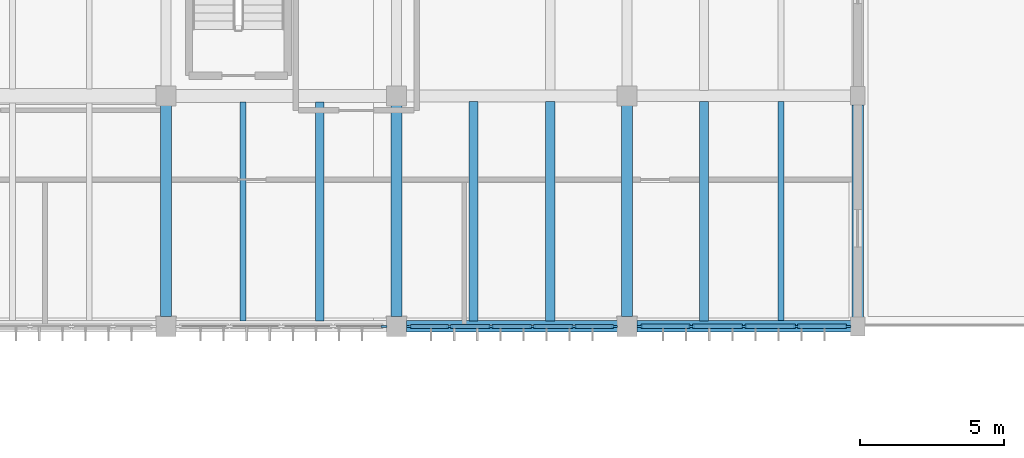
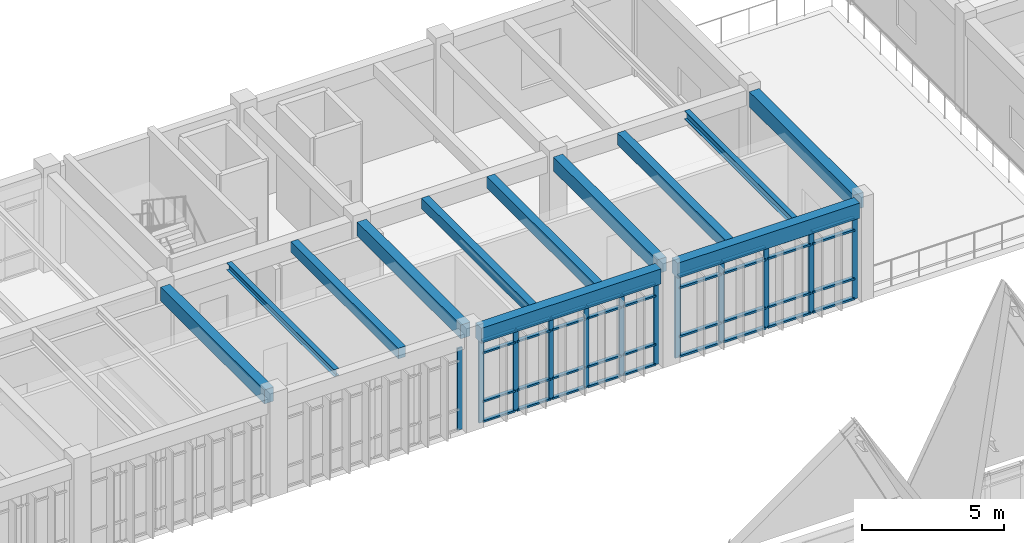
# One storey, part 20 of 72: 48 members, 12 beams, 3 elements without a shape of their own.
"""IFC4 building model written with IfcOpenShell, lengths in metres."""

from ifc_helpers import new_model, si_unit, direction, frame, origin, origin_2d, place, context, subcontext, project, spatial, rectangle, i_section, extrude, material, material_profile, profile_set, type_object, element, aggregate, save


model = new_model("IFC4")

# Units and contexts
model_context = context("Model", 3, precision=1e-05, world=origin(), true_north=direction((0.0, 1.0)))
body_context = subcontext(model_context, "Body", "Model", "MODEL_VIEW")
ifc_project = project(units=[si_unit("LENGTHUNIT", "METRE"), si_unit("AREAUNIT", "SQUARE_METRE"), si_unit("VOLUMEUNIT", "CUBIC_METRE"), si_unit("PLANEANGLEUNIT", "RADIAN"), si_unit("MASSUNIT", "GRAM", prefix="KILO")], contexts=[model_context])

# Site, building, storey
site_placement = place(None, origin())
site = spatial("IfcSite", under=ifc_project, at=site_placement, CompositionType="ELEMENT")
building_placement = place(site_placement, origin())
building = spatial("IfcBuilding", under=site, at=building_placement, Name="Tlaxcora Railside Police Headquarters", CompositionType="ELEMENT")
storey_placement = place(building_placement, frame((0.0, 0.0, 13.5)))
storey = spatial("IfcBuildingStorey", under=building, at=storey_placement, Name="L03", CompositionType="ELEMENT", Elevation=13.5)

# Curtain wall, member
ifc_material_1 = material(Name="Thermally broken low-E insulated glazing", Category="glass")
curtain_wall_type_1 = type_object("IfcCurtainWallType", Name="Unitised Curtain Wall Assembly CW-38", PredefinedType="NOTDEFINED", material=ifc_material_1)
curtain_wall_1_placement = place(storey_placement, origin())
curtain_wall_1 = element("IfcCurtainWall", 1, at=curtain_wall_1_placement, inside=storey, type_object=curtain_wall_type_1, Name="V5 L03 curtain wall 77", PredefinedType="NOTDEFINED")
ifc_material_2 = material(Name="Anodised aluminium framing", Category="aluminium")
ifc_material_profile_1 = material_profile(ifc_material_2, rectangle(XDim=0.074951171875, YDim=0.205078125, at=origin_2d()), Name="AL75X205")
ifc_profile_set_1 = profile_set([ifc_material_profile_1], Name="Anodised aluminium framing")
member_type_1 = type_object("IfcMemberType", Name="Curtain Wall Mullion CW-32", PredefinedType="MULLION", material=ifc_profile_set_1)
member_1_placement = place(storey_placement, frame((77.5625, 76.800048828125, 0.0), z_axis=(0.0, 0.0, 1.0), x_axis=(0.0, 1.0, 0.0)))
member_1 = element("IfcMember", 2, at=member_1_placement, type_object=member_type_1, Name="CW mullion 5", PredefinedType="MULLION", context=body_context, shape_type="SweptSolid", body=[
    extrude(rectangle(XDim=0.074951171875, YDim=0.205078125, at=origin_2d()), origin(), (0.0, 0.0, 1.0), 3.52001953125),
])
aggregate(curtain_wall_1, [member_1])

# Curtain wall, members
curtain_wall_type_2 = type_object("IfcCurtainWallType", Name="Unitised Curtain Wall Assembly CW-15", PredefinedType="NOTDEFINED", material=ifc_material_1)
curtain_wall_2_placement = place(storey_placement, origin())
curtain_wall_2 = element("IfcCurtainWall", 3, at=curtain_wall_2_placement, inside=storey, type_object=curtain_wall_type_2, Name="V5 L03 curtain wall 78", PredefinedType="NOTDEFINED")
ifc_material_profile_2 = material_profile(ifc_material_2, rectangle(XDim=0.074951171875, YDim=0.199951171875, at=origin_2d()), Name="AL75X200")
ifc_profile_set_2 = profile_set([ifc_material_profile_2], Name="Anodised aluminium framing")
member_type_2 = type_object("IfcMemberType", Name="Curtain Wall Mullion CW-58", PredefinedType="MULLION", material=ifc_profile_set_2)
member_2_placement = place(storey_placement, frame((78.4375, 76.800048828125, 0.0), z_axis=(0.0, 0.0, 1.0), x_axis=(0.0, 1.0, 0.0)))
member_2 = element("IfcMember", 4, at=member_2_placement, type_object=member_type_2, Name="CW mullion 1", PredefinedType="MULLION", context=body_context, shape_type="SweptSolid", body=[
    extrude(rectangle(XDim=0.074951171875, YDim=0.199951171875, at=origin_2d()), origin(), (0.0, 0.0, 1.0), 3.52001953125),
])
member_3_placement = place(storey_placement, frame((79.840087890625, 76.800048828125, 0.0), z_axis=(0.0, 0.0, 1.0), x_axis=(0.0, 1.0, 0.0)))
member_3 = element("IfcMember", 5, at=member_3_placement, type_object=member_type_2, Name="CW mullion 2", PredefinedType="MULLION", context=body_context, shape_type="SweptSolid", body=[
    extrude(rectangle(XDim=0.074951171875, YDim=0.199951171875, at=origin_2d()), origin(), (0.0, 0.0, 1.0), 3.52001953125),
])
member_4_placement = place(storey_placement, frame((81.280029296875, 76.800048828125, 0.0), z_axis=(0.0, 0.0, 1.0), x_axis=(0.0, 1.0, 0.0)))
member_4 = element("IfcMember", 6, at=member_4_placement, type_object=member_type_2, Name="CW mullion 3", PredefinedType="MULLION", context=body_context, shape_type="SweptSolid", body=[
    extrude(rectangle(XDim=0.074951171875, YDim=0.199951171875, at=origin_2d()), origin(), (0.0, 0.0, 1.0), 3.52001953125),
])
member_5_placement = place(storey_placement, frame((82.719970703125, 76.800048828125, 0.0), z_axis=(0.0, 0.0, 1.0), x_axis=(0.0, 1.0, 0.0)))
member_5 = element("IfcMember", 7, at=member_5_placement, type_object=member_type_2, Name="CW mullion 4", PredefinedType="MULLION", context=body_context, shape_type="SweptSolid", body=[
    extrude(rectangle(XDim=0.074951171875, YDim=0.199951171875, at=origin_2d()), origin(), (0.0, 0.0, 1.0), 3.52001953125),
])
member_6_placement = place(storey_placement, frame((84.159912109375, 76.800048828125, 0.0), z_axis=(0.0, 0.0, 1.0), x_axis=(0.0, 1.0, 0.0)))
member_6 = element("IfcMember", 8, at=member_6_placement, type_object=member_type_2, Name="CW mullion 5", PredefinedType="MULLION", context=body_context, shape_type="SweptSolid", body=[
    extrude(rectangle(XDim=0.074951171875, YDim=0.199951171875, at=origin_2d()), origin(), (0.0, 0.0, 1.0), 3.52001953125),
])
member_7_placement = place(storey_placement, frame((85.5625, 76.800048828125, 0.0), z_axis=(0.0, 0.0, 1.0), x_axis=(0.0, 1.0, 0.0)))
member_7 = element("IfcMember", 9, at=member_7_placement, type_object=member_type_2, Name="CW mullion 6", PredefinedType="MULLION", context=body_context, shape_type="SweptSolid", body=[
    extrude(rectangle(XDim=0.074951171875, YDim=0.199951171875, at=origin_2d()), origin(), (0.0, 0.0, 1.0), 3.52001953125),
])

curtain_wall_type_3 = type_object("IfcCurtainWallType", Name="Unitised Curtain Wall Assembly CW-83", PredefinedType="NOTDEFINED", material=ifc_material_1)
curtain_wall_3_placement = place(storey_placement, origin())
curtain_wall_3 = element("IfcCurtainWall", 10, at=curtain_wall_3_placement, inside=storey, type_object=curtain_wall_type_3, Name="V5 L03 curtain wall 79", PredefinedType="NOTDEFINED")
ifc_material_profile_3 = material_profile(ifc_material_2, rectangle(XDim=0.080078125, YDim=0.2099609375, at=origin_2d()), Name="AL80X210")
ifc_profile_set_3 = profile_set([ifc_material_profile_3], Name="Anodised aluminium framing")
member_type_3 = type_object("IfcMemberType", Name="Curtain Wall Mullion CW-76", PredefinedType="MULLION", material=ifc_profile_set_3)
member_8_placement = place(storey_placement, frame((86.43994140625, 76.800048828125, 0.0), z_axis=(0.0, 0.0, 1.0), x_axis=(0.0, 1.0, 0.0)))
member_8 = element("IfcMember", 11, at=member_8_placement, type_object=member_type_3, Name="CW mullion 1", PredefinedType="MULLION", context=body_context, shape_type="SweptSolid", body=[
    extrude(rectangle(XDim=0.080078125, YDim=0.2099609375, at=origin_2d()), origin(), (0.0, 0.0, 1.0), 3.52001953125),
])
member_9_placement = place(storey_placement, frame((88.22509765625, 76.800048828125, 0.0), z_axis=(0.0, 0.0, 1.0), x_axis=(0.0, 1.0, 0.0)))
member_9 = element("IfcMember", 12, at=member_9_placement, type_object=member_type_3, Name="CW mullion 2", PredefinedType="MULLION", context=body_context, shape_type="SweptSolid", body=[
    extrude(rectangle(XDim=0.080078125, YDim=0.2099609375, at=origin_2d()), origin(), (0.0, 0.0, 1.0), 3.52001953125),
])
member_10_placement = place(storey_placement, frame((90.050048828125, 76.800048828125, 0.0), z_axis=(0.0, 0.0, 1.0), x_axis=(0.0, 1.0, 0.0)))
member_10 = element("IfcMember", 13, at=member_10_placement, type_object=member_type_3, Name="CW mullion 3", PredefinedType="MULLION", context=body_context, shape_type="SweptSolid", body=[
    extrude(rectangle(XDim=0.080078125, YDim=0.2099609375, at=origin_2d()), origin(), (0.0, 0.0, 1.0), 3.52001953125),
])
member_11_placement = place(storey_placement, frame((91.875, 76.800048828125, 0.0), z_axis=(0.0, 0.0, 1.0), x_axis=(0.0, 1.0, 0.0)))
member_11 = element("IfcMember", 14, at=member_11_placement, type_object=member_type_3, Name="CW mullion 4", PredefinedType="MULLION", context=body_context, shape_type="SweptSolid", body=[
    extrude(rectangle(XDim=0.080078125, YDim=0.2099609375, at=origin_2d()), origin(), (0.0, 0.0, 1.0), 3.52001953125),
])
member_12_placement = place(storey_placement, frame((93.659912109375, 76.800048828125, 0.0), z_axis=(0.0, 0.0, 1.0), x_axis=(0.0, 1.0, 0.0)))
member_12 = element("IfcMember", 15, at=member_12_placement, type_object=member_type_3, Name="CW mullion 5", PredefinedType="MULLION", context=body_context, shape_type="SweptSolid", body=[
    extrude(rectangle(XDim=0.080078125, YDim=0.2099609375, at=origin_2d()), origin(), (0.0, 0.0, 1.0), 3.52001953125),
])

# Member
ifc_material_profile_4 = material_profile(ifc_material_2, rectangle(XDim=0.14990234375, YDim=0.074951171875, at=origin_2d()), Name="AL75X150")
ifc_profile_set_4 = profile_set([ifc_material_profile_4], Name="Anodised aluminium framing")
member_type_4 = type_object("IfcMemberType", Name="Curtain Wall Transom CW-28", PredefinedType="USERDEFINED", material=ifc_profile_set_4)
member_13_placement = place(storey_placement, frame((78.47509765625, 76.800048828125, 0.03759765625), z_axis=(1.0, 0.0, 0.0), x_axis=(0.0, 1.0, 0.0)))
member_13 = element("IfcMember", 16, at=member_13_placement, type_object=member_type_4, Name="CW transom 1.1", ObjectType="TRANSOM", PredefinedType="USERDEFINED", context=body_context, shape_type="SweptSolid", body=[
    extrude(rectangle(XDim=0.14990234375, YDim=0.074951171875, at=origin_2d()), origin(), (0.0, 0.0, 1.0), 1.327392578125),
])

member_14_placement = place(storey_placement, frame((78.47509765625, 76.800048828125, 0.89990234375), z_axis=(1.0, 0.0, 0.0), x_axis=(0.0, 1.0, 0.0)))
member_14 = element("IfcMember", 17, at=member_14_placement, type_object=member_type_4, Name="CW transom 1.2", ObjectType="TRANSOM", PredefinedType="USERDEFINED", context=body_context, shape_type="SweptSolid", body=[
    extrude(rectangle(XDim=0.14990234375, YDim=0.074951171875, at=origin_2d()), origin(), (0.0, 0.0, 1.0), 1.327392578125),
])

member_15_placement = place(storey_placement, frame((78.47509765625, 76.800048828125, 2.989990234375), z_axis=(1.0, 0.0, 0.0), x_axis=(0.0, 1.0, 0.0)))
member_15 = element("IfcMember", 18, at=member_15_placement, type_object=member_type_4, Name="CW transom 1.3", ObjectType="TRANSOM", PredefinedType="USERDEFINED", context=body_context, shape_type="SweptSolid", body=[
    extrude(rectangle(XDim=0.14990234375, YDim=0.074951171875, at=origin_2d()), origin(), (0.0, 0.0, 1.0), 1.327392578125),
])

member_16_placement = place(storey_placement, frame((78.47509765625, 76.800048828125, 3.482421875), z_axis=(1.0, 0.0, 0.0), x_axis=(0.0, 1.0, 0.0)))
member_16 = element("IfcMember", 19, at=member_16_placement, type_object=member_type_4, Name="CW transom 1.4", ObjectType="TRANSOM", PredefinedType="USERDEFINED", context=body_context, shape_type="SweptSolid", body=[
    extrude(rectangle(XDim=0.14990234375, YDim=0.074951171875, at=origin_2d()), origin(), (0.0, 0.0, 1.0), 1.327392578125),
])

member_17_placement = place(storey_placement, frame((79.87744140625, 76.800048828125, 0.03759765625), z_axis=(1.0, 0.0, 0.0), x_axis=(0.0, 1.0, 0.0)))
member_17 = element("IfcMember", 20, at=member_17_placement, type_object=member_type_4, Name="CW transom 2.1", ObjectType="TRANSOM", PredefinedType="USERDEFINED", context=body_context, shape_type="SweptSolid", body=[
    extrude(rectangle(XDim=0.14990234375, YDim=0.074951171875, at=origin_2d()), origin(), (0.0, 0.0, 1.0), 1.364990234375),
])

member_18_placement = place(storey_placement, frame((79.87744140625, 76.800048828125, 0.89990234375), z_axis=(1.0, 0.0, 0.0), x_axis=(0.0, 1.0, 0.0)))
member_18 = element("IfcMember", 21, at=member_18_placement, type_object=member_type_4, Name="CW transom 2.2", ObjectType="TRANSOM", PredefinedType="USERDEFINED", context=body_context, shape_type="SweptSolid", body=[
    extrude(rectangle(XDim=0.14990234375, YDim=0.074951171875, at=origin_2d()), origin(), (0.0, 0.0, 1.0), 1.364990234375),
])

member_19_placement = place(storey_placement, frame((79.87744140625, 76.800048828125, 2.989990234375), z_axis=(1.0, 0.0, 0.0), x_axis=(0.0, 1.0, 0.0)))
member_19 = element("IfcMember", 22, at=member_19_placement, type_object=member_type_4, Name="CW transom 2.3", ObjectType="TRANSOM", PredefinedType="USERDEFINED", context=body_context, shape_type="SweptSolid", body=[
    extrude(rectangle(XDim=0.14990234375, YDim=0.074951171875, at=origin_2d()), origin(), (0.0, 0.0, 1.0), 1.364990234375),
])

member_20_placement = place(storey_placement, frame((79.87744140625, 76.800048828125, 3.482421875), z_axis=(1.0, 0.0, 0.0), x_axis=(0.0, 1.0, 0.0)))
member_20 = element("IfcMember", 23, at=member_20_placement, type_object=member_type_4, Name="CW transom 2.4", ObjectType="TRANSOM", PredefinedType="USERDEFINED", context=body_context, shape_type="SweptSolid", body=[
    extrude(rectangle(XDim=0.14990234375, YDim=0.074951171875, at=origin_2d()), origin(), (0.0, 0.0, 1.0), 1.364990234375),
])

member_21_placement = place(storey_placement, frame((81.3173828125, 76.800048828125, 0.03759765625), z_axis=(1.0, 0.0, 0.0), x_axis=(0.0, 1.0, 0.0)))
member_21 = element("IfcMember", 24, at=member_21_placement, type_object=member_type_4, Name="CW transom 3.1", ObjectType="TRANSOM", PredefinedType="USERDEFINED", context=body_context, shape_type="SweptSolid", body=[
    extrude(rectangle(XDim=0.14990234375, YDim=0.074951171875, at=origin_2d()), origin(), (0.0, 0.0, 1.0), 1.365234375),
])

member_22_placement = place(storey_placement, frame((81.3173828125, 76.800048828125, 0.89990234375), z_axis=(1.0, 0.0, 0.0), x_axis=(0.0, 1.0, 0.0)))
member_22 = element("IfcMember", 25, at=member_22_placement, type_object=member_type_4, Name="CW transom 3.2", ObjectType="TRANSOM", PredefinedType="USERDEFINED", context=body_context, shape_type="SweptSolid", body=[
    extrude(rectangle(XDim=0.14990234375, YDim=0.074951171875, at=origin_2d()), origin(), (0.0, 0.0, 1.0), 1.365234375),
])

member_23_placement = place(storey_placement, frame((81.3173828125, 76.800048828125, 2.989990234375), z_axis=(1.0, 0.0, 0.0), x_axis=(0.0, 1.0, 0.0)))
member_23 = element("IfcMember", 26, at=member_23_placement, type_object=member_type_4, Name="CW transom 3.3", ObjectType="TRANSOM", PredefinedType="USERDEFINED", context=body_context, shape_type="SweptSolid", body=[
    extrude(rectangle(XDim=0.14990234375, YDim=0.074951171875, at=origin_2d()), origin(), (0.0, 0.0, 1.0), 1.365234375),
])

member_24_placement = place(storey_placement, frame((81.3173828125, 76.800048828125, 3.482421875), z_axis=(1.0, 0.0, 0.0), x_axis=(0.0, 1.0, 0.0)))
member_24 = element("IfcMember", 27, at=member_24_placement, type_object=member_type_4, Name="CW transom 3.4", ObjectType="TRANSOM", PredefinedType="USERDEFINED", context=body_context, shape_type="SweptSolid", body=[
    extrude(rectangle(XDim=0.14990234375, YDim=0.074951171875, at=origin_2d()), origin(), (0.0, 0.0, 1.0), 1.365234375),
])

member_25_placement = place(storey_placement, frame((82.757568359375, 76.800048828125, 0.03759765625), z_axis=(1.0, 0.0, 0.0), x_axis=(0.0, 1.0, 0.0)))
member_25 = element("IfcMember", 28, at=member_25_placement, type_object=member_type_4, Name="CW transom 4.1", ObjectType="TRANSOM", PredefinedType="USERDEFINED", context=body_context, shape_type="SweptSolid", body=[
    extrude(rectangle(XDim=0.14990234375, YDim=0.074951171875, at=origin_2d()), origin(), (0.0, 0.0, 1.0), 1.364990234375),
])

member_26_placement = place(storey_placement, frame((82.757568359375, 76.800048828125, 0.89990234375), z_axis=(1.0, 0.0, 0.0), x_axis=(0.0, 1.0, 0.0)))
member_26 = element("IfcMember", 29, at=member_26_placement, type_object=member_type_4, Name="CW transom 4.2", ObjectType="TRANSOM", PredefinedType="USERDEFINED", context=body_context, shape_type="SweptSolid", body=[
    extrude(rectangle(XDim=0.14990234375, YDim=0.074951171875, at=origin_2d()), origin(), (0.0, 0.0, 1.0), 1.364990234375),
])

member_27_placement = place(storey_placement, frame((82.757568359375, 76.800048828125, 2.989990234375), z_axis=(1.0, 0.0, 0.0), x_axis=(0.0, 1.0, 0.0)))
member_27 = element("IfcMember", 30, at=member_27_placement, type_object=member_type_4, Name="CW transom 4.3", ObjectType="TRANSOM", PredefinedType="USERDEFINED", context=body_context, shape_type="SweptSolid", body=[
    extrude(rectangle(XDim=0.14990234375, YDim=0.074951171875, at=origin_2d()), origin(), (0.0, 0.0, 1.0), 1.364990234375),
])

member_28_placement = place(storey_placement, frame((82.757568359375, 76.800048828125, 3.482421875), z_axis=(1.0, 0.0, 0.0), x_axis=(0.0, 1.0, 0.0)))
member_28 = element("IfcMember", 31, at=member_28_placement, type_object=member_type_4, Name="CW transom 4.4", ObjectType="TRANSOM", PredefinedType="USERDEFINED", context=body_context, shape_type="SweptSolid", body=[
    extrude(rectangle(XDim=0.14990234375, YDim=0.074951171875, at=origin_2d()), origin(), (0.0, 0.0, 1.0), 1.364990234375),
])

member_29_placement = place(storey_placement, frame((84.197509765625, 76.800048828125, 0.03759765625), z_axis=(1.0, 0.0, 0.0), x_axis=(0.0, 1.0, 0.0)))
member_29 = element("IfcMember", 32, at=member_29_placement, type_object=member_type_4, Name="CW transom 5.1", ObjectType="TRANSOM", PredefinedType="USERDEFINED", context=body_context, shape_type="SweptSolid", body=[
    extrude(rectangle(XDim=0.14990234375, YDim=0.074951171875, at=origin_2d()), origin(), (0.0, 0.0, 1.0), 1.327392578125),
])

member_30_placement = place(storey_placement, frame((84.197509765625, 76.800048828125, 0.89990234375), z_axis=(1.0, 0.0, 0.0), x_axis=(0.0, 1.0, 0.0)))
member_30 = element("IfcMember", 33, at=member_30_placement, type_object=member_type_4, Name="CW transom 5.2", ObjectType="TRANSOM", PredefinedType="USERDEFINED", context=body_context, shape_type="SweptSolid", body=[
    extrude(rectangle(XDim=0.14990234375, YDim=0.074951171875, at=origin_2d()), origin(), (0.0, 0.0, 1.0), 1.327392578125),
])

member_31_placement = place(storey_placement, frame((84.197509765625, 76.800048828125, 2.989990234375), z_axis=(1.0, 0.0, 0.0), x_axis=(0.0, 1.0, 0.0)))
member_31 = element("IfcMember", 34, at=member_31_placement, type_object=member_type_4, Name="CW transom 5.3", ObjectType="TRANSOM", PredefinedType="USERDEFINED", context=body_context, shape_type="SweptSolid", body=[
    extrude(rectangle(XDim=0.14990234375, YDim=0.074951171875, at=origin_2d()), origin(), (0.0, 0.0, 1.0), 1.327392578125),
])

member_32_placement = place(storey_placement, frame((84.197509765625, 76.800048828125, 3.482421875), z_axis=(1.0, 0.0, 0.0), x_axis=(0.0, 1.0, 0.0)))
member_32 = element("IfcMember", 35, at=member_32_placement, type_object=member_type_4, Name="CW transom 5.4", ObjectType="TRANSOM", PredefinedType="USERDEFINED", context=body_context, shape_type="SweptSolid", body=[
    extrude(rectangle(XDim=0.14990234375, YDim=0.074951171875, at=origin_2d()), origin(), (0.0, 0.0, 1.0), 1.327392578125),
])

aggregate(curtain_wall_2, [member_2, member_3, member_4, member_5, member_6, member_7, member_13, member_14, member_15, member_16, member_17, member_18, member_19, member_20, member_21, member_22, member_23, member_24, member_25, member_26, member_27, member_28, member_29, member_30, member_31, member_32])

ifc_material_profile_5 = material_profile(ifc_material_2, rectangle(XDim=0.159912109375, YDim=0.080078125, at=origin_2d()), Name="AL80X160")
ifc_profile_set_5 = profile_set([ifc_material_profile_5], Name="Anodised aluminium framing")
member_type_5 = type_object("IfcMemberType", Name="Curtain Wall Transom CW-82", PredefinedType="USERDEFINED", material=ifc_profile_set_5)
member_33_placement = place(storey_placement, frame((86.47998046875, 76.800048828125, 0.0400390625), z_axis=(1.0, 0.0, 0.0), x_axis=(0.0, 1.0, 0.0)))
member_33 = element("IfcMember", 36, at=member_33_placement, type_object=member_type_5, Name="CW transom 1.1", ObjectType="TRANSOM", PredefinedType="USERDEFINED", context=body_context, shape_type="SweptSolid", body=[
    extrude(rectangle(XDim=0.159912109375, YDim=0.080078125, at=origin_2d()), origin(), (0.0, 0.0, 1.0), 1.705078125),
])

member_34_placement = place(storey_placement, frame((86.47998046875, 76.800048828125, 0.89990234375), z_axis=(1.0, 0.0, 0.0), x_axis=(0.0, 1.0, 0.0)))
member_34 = element("IfcMember", 37, at=member_34_placement, type_object=member_type_5, Name="CW transom 1.2", ObjectType="TRANSOM", PredefinedType="USERDEFINED", context=body_context, shape_type="SweptSolid", body=[
    extrude(rectangle(XDim=0.159912109375, YDim=0.080078125, at=origin_2d()), origin(), (0.0, 0.0, 1.0), 1.705078125),
])

member_35_placement = place(storey_placement, frame((86.47998046875, 76.800048828125, 2.989990234375), z_axis=(1.0, 0.0, 0.0), x_axis=(0.0, 1.0, 0.0)))
member_35 = element("IfcMember", 38, at=member_35_placement, type_object=member_type_5, Name="CW transom 1.3", ObjectType="TRANSOM", PredefinedType="USERDEFINED", context=body_context, shape_type="SweptSolid", body=[
    extrude(rectangle(XDim=0.159912109375, YDim=0.080078125, at=origin_2d()), origin(), (0.0, 0.0, 1.0), 1.705078125),
])

member_36_placement = place(storey_placement, frame((86.47998046875, 76.800048828125, 3.47998046875), z_axis=(1.0, 0.0, 0.0), x_axis=(0.0, 1.0, 0.0)))
member_36 = element("IfcMember", 39, at=member_36_placement, type_object=member_type_5, Name="CW transom 1.4", ObjectType="TRANSOM", PredefinedType="USERDEFINED", context=body_context, shape_type="SweptSolid", body=[
    extrude(rectangle(XDim=0.159912109375, YDim=0.080078125, at=origin_2d()), origin(), (0.0, 0.0, 1.0), 1.705078125),
])

member_37_placement = place(storey_placement, frame((88.264892578125, 76.800048828125, 0.0400390625), z_axis=(1.0, 0.0, 0.0), x_axis=(0.0, 1.0, 0.0)))
member_37 = element("IfcMember", 40, at=member_37_placement, type_object=member_type_5, Name="CW transom 2.1", ObjectType="TRANSOM", PredefinedType="USERDEFINED", context=body_context, shape_type="SweptSolid", body=[
    extrude(rectangle(XDim=0.159912109375, YDim=0.080078125, at=origin_2d()), origin(), (0.0, 0.0, 1.0), 1.7451171875),
])

member_38_placement = place(storey_placement, frame((88.264892578125, 76.800048828125, 0.89990234375), z_axis=(1.0, 0.0, 0.0), x_axis=(0.0, 1.0, 0.0)))
member_38 = element("IfcMember", 41, at=member_38_placement, type_object=member_type_5, Name="CW transom 2.2", ObjectType="TRANSOM", PredefinedType="USERDEFINED", context=body_context, shape_type="SweptSolid", body=[
    extrude(rectangle(XDim=0.159912109375, YDim=0.080078125, at=origin_2d()), origin(), (0.0, 0.0, 1.0), 1.7451171875),
])

member_39_placement = place(storey_placement, frame((88.264892578125, 76.800048828125, 2.989990234375), z_axis=(1.0, 0.0, 0.0), x_axis=(0.0, 1.0, 0.0)))
member_39 = element("IfcMember", 42, at=member_39_placement, type_object=member_type_5, Name="CW transom 2.3", ObjectType="TRANSOM", PredefinedType="USERDEFINED", context=body_context, shape_type="SweptSolid", body=[
    extrude(rectangle(XDim=0.159912109375, YDim=0.080078125, at=origin_2d()), origin(), (0.0, 0.0, 1.0), 1.7451171875),
])

member_40_placement = place(storey_placement, frame((88.264892578125, 76.800048828125, 3.47998046875), z_axis=(1.0, 0.0, 0.0), x_axis=(0.0, 1.0, 0.0)))
member_40 = element("IfcMember", 43, at=member_40_placement, type_object=member_type_5, Name="CW transom 2.4", ObjectType="TRANSOM", PredefinedType="USERDEFINED", context=body_context, shape_type="SweptSolid", body=[
    extrude(rectangle(XDim=0.159912109375, YDim=0.080078125, at=origin_2d()), origin(), (0.0, 0.0, 1.0), 1.7451171875),
])

member_41_placement = place(storey_placement, frame((90.090087890625, 76.800048828125, 0.0400390625), z_axis=(1.0, 0.0, 0.0), x_axis=(0.0, 1.0, 0.0)))
member_41 = element("IfcMember", 44, at=member_41_placement, type_object=member_type_5, Name="CW transom 3.1", ObjectType="TRANSOM", PredefinedType="USERDEFINED", context=body_context, shape_type="SweptSolid", body=[
    extrude(rectangle(XDim=0.159912109375, YDim=0.080078125, at=origin_2d()), origin(), (0.0, 0.0, 1.0), 1.744873046875),
])

member_42_placement = place(storey_placement, frame((90.090087890625, 76.800048828125, 0.89990234375), z_axis=(1.0, 0.0, 0.0), x_axis=(0.0, 1.0, 0.0)))
member_42 = element("IfcMember", 45, at=member_42_placement, type_object=member_type_5, Name="CW transom 3.2", ObjectType="TRANSOM", PredefinedType="USERDEFINED", context=body_context, shape_type="SweptSolid", body=[
    extrude(rectangle(XDim=0.159912109375, YDim=0.080078125, at=origin_2d()), origin(), (0.0, 0.0, 1.0), 1.744873046875),
])

member_43_placement = place(storey_placement, frame((90.090087890625, 76.800048828125, 2.989990234375), z_axis=(1.0, 0.0, 0.0), x_axis=(0.0, 1.0, 0.0)))
member_43 = element("IfcMember", 46, at=member_43_placement, type_object=member_type_5, Name="CW transom 3.3", ObjectType="TRANSOM", PredefinedType="USERDEFINED", context=body_context, shape_type="SweptSolid", body=[
    extrude(rectangle(XDim=0.159912109375, YDim=0.080078125, at=origin_2d()), origin(), (0.0, 0.0, 1.0), 1.744873046875),
])

member_44_placement = place(storey_placement, frame((90.090087890625, 76.800048828125, 3.47998046875), z_axis=(1.0, 0.0, 0.0), x_axis=(0.0, 1.0, 0.0)))
member_44 = element("IfcMember", 47, at=member_44_placement, type_object=member_type_5, Name="CW transom 3.4", ObjectType="TRANSOM", PredefinedType="USERDEFINED", context=body_context, shape_type="SweptSolid", body=[
    extrude(rectangle(XDim=0.159912109375, YDim=0.080078125, at=origin_2d()), origin(), (0.0, 0.0, 1.0), 1.744873046875),
])

member_45_placement = place(storey_placement, frame((91.9150390625, 76.800048828125, 0.0400390625), z_axis=(1.0, 0.0, 0.0), x_axis=(0.0, 1.0, 0.0)))
member_45 = element("IfcMember", 48, at=member_45_placement, type_object=member_type_5, Name="CW transom 4.1", ObjectType="TRANSOM", PredefinedType="USERDEFINED", context=body_context, shape_type="SweptSolid", body=[
    extrude(rectangle(XDim=0.159912109375, YDim=0.080078125, at=origin_2d()), origin(), (0.0, 0.0, 1.0), 1.705078125),
])

member_46_placement = place(storey_placement, frame((91.9150390625, 76.800048828125, 0.89990234375), z_axis=(1.0, 0.0, 0.0), x_axis=(0.0, 1.0, 0.0)))
member_46 = element("IfcMember", 49, at=member_46_placement, type_object=member_type_5, Name="CW transom 4.2", ObjectType="TRANSOM", PredefinedType="USERDEFINED", context=body_context, shape_type="SweptSolid", body=[
    extrude(rectangle(XDim=0.159912109375, YDim=0.080078125, at=origin_2d()), origin(), (0.0, 0.0, 1.0), 1.705078125),
])

member_47_placement = place(storey_placement, frame((91.9150390625, 76.800048828125, 2.989990234375), z_axis=(1.0, 0.0, 0.0), x_axis=(0.0, 1.0, 0.0)))
member_47 = element("IfcMember", 50, at=member_47_placement, type_object=member_type_5, Name="CW transom 4.3", ObjectType="TRANSOM", PredefinedType="USERDEFINED", context=body_context, shape_type="SweptSolid", body=[
    extrude(rectangle(XDim=0.159912109375, YDim=0.080078125, at=origin_2d()), origin(), (0.0, 0.0, 1.0), 1.705078125),
])

member_48_placement = place(storey_placement, frame((91.9150390625, 76.800048828125, 3.47998046875), z_axis=(1.0, 0.0, 0.0), x_axis=(0.0, 1.0, 0.0)))
member_48 = element("IfcMember", 51, at=member_48_placement, type_object=member_type_5, Name="CW transom 4.4", ObjectType="TRANSOM", PredefinedType="USERDEFINED", context=body_context, shape_type="SweptSolid", body=[
    extrude(rectangle(XDim=0.159912109375, YDim=0.080078125, at=origin_2d()), origin(), (0.0, 0.0, 1.0), 1.705078125),
])

aggregate(curtain_wall_3, [member_8, member_9, member_10, member_11, member_12, member_33, member_34, member_35, member_36, member_37, member_38, member_39, member_40, member_41, member_42, member_43, member_44, member_45, member_46, member_47, member_48])

# Beams
ifc_material_3 = material(Name="Concrete C40/50", Category="concrete")
ifc_material_profile_6 = material_profile(ifc_material_3, rectangle(XDim=0.39990234375, YDim=0.64990234375, at=origin_2d()), Name="RC400X650")
ifc_profile_set_6 = profile_set([ifc_material_profile_6], Name="Concrete C40/50")
beam_type_1 = type_object("IfcBeamType", Name="Perimeter Spandrel Beam BM-46", PredefinedType="SPANDREL", material=ifc_profile_set_6)
beam_1_placement = place(storey_placement, frame((78.340087890625, 76.800048828125, 3.864990234375), z_axis=(1.0, 0.0, 0.0), x_axis=(0.0, 1.0, 0.0)))
element("IfcBeam", 52, at=beam_1_placement, inside=storey, type_object=beam_type_1, Name="V5 L03 X-girder Y=76.8", PredefinedType="SPANDREL", context=body_context, shape_type="SweptSolid", body=[
    extrude(rectangle(XDim=0.39990234375, YDim=0.64990234375, at=origin_2d()), origin(), (0.0, 0.0, 1.0), 7.31982421875),
])
beam_2_placement = place(storey_placement, frame((86.340087890625, 76.800048828125, 3.864990234375), z_axis=(1.0, 0.0, 0.0), x_axis=(0.0, 1.0, 0.0)))
element("IfcBeam", 53, at=beam_2_placement, inside=storey, type_object=beam_type_1, Name="V5 L03 X-girder Y=76.8", PredefinedType="SPANDREL", context=body_context, shape_type="SweptSolid", body=[
    extrude(rectangle(XDim=0.39990234375, YDim=0.64990234375, at=origin_2d()), origin(), (0.0, 0.0, 1.0), 7.419921875),
])
beam_3_placement = place(storey_placement, frame((94.0, 77.114990234375, 3.864990234375), z_axis=(0.0, 1.0, 0.0), x_axis=(-1.0, 0.0, 0.0)))
element("IfcBeam", 54, at=beam_3_placement, inside=storey, type_object=beam_type_1, Name="V5 L03 Y-girder X=94.0", PredefinedType="SPANDREL", context=body_context, shape_type="SweptSolid", body=[
    extrude(rectangle(XDim=0.39990234375, YDim=0.64990234375, at=origin_2d()), origin(), (0.0, 0.0, 1.0), 7.3701171875),
])
ifc_material_profile_7 = material_profile(ifc_material_3, rectangle(XDim=0.3798828125, YDim=0.60009765625, at=origin_2d()), Name="RC380X600")
ifc_profile_set_7 = profile_set([ifc_material_profile_7], Name="Concrete C40/50")
beam_type_2 = type_object("IfcBeamType", Name="Primary Frame Girder BM-22", PredefinedType="BEAM", material=ifc_profile_set_7)
for number, where, z_axis, x_axis, name in (
    (55, (70.0, 77.139892578125, 3.889892578125), (0.0, 1.0, 0.0), (-1.0, 0.0, 0.0), "V5 L03 Y-girder X=70.0"),
    (56, (78.0, 77.139892578125, 3.889892578125), (0.0, 1.0, 0.0), (-1.0, 0.0, 0.0), "V5 L03 Y-girder X=78.0"),
    (57, (86.0, 77.139892578125, 3.889892578125), (0.0, 1.0, 0.0), (-1.0, 0.0, 0.0), "V5 L03 Y-girder X=86.0"),
):
    element("IfcBeam", number, at=place(storey_placement, frame(where, z_axis=z_axis, x_axis=x_axis)), inside=storey, type_object=beam_type_2, Name=name, PredefinedType="BEAM", context=body_context, shape_type="SweptSolid", body=[
        extrude(rectangle(XDim=0.3798828125, YDim=0.60009765625, at=origin_2d()), origin(), (0.0, 0.0, 1.0), 7.320068359375),
    ])
ifc_material_4 = material(Name="Concrete C35/45", Category="concrete")
ifc_material_profile_8 = material_profile(ifc_material_4, rectangle(XDim=0.300048828125, YDim=0.449951171875, at=origin_2d()), Name="RC300X450")
ifc_profile_set_8 = profile_set([ifc_material_profile_8], Name="Concrete C35/45")
beam_type_3 = type_object("IfcBeamType", Name="Secondary Floor Joist BM-27", PredefinedType="JOIST", material=ifc_profile_set_8)
beam_4_placement = place(storey_placement, frame((75.333251953125, 76.991943359375, 3.965087890625), z_axis=(0.0, 1.0, 0.0), x_axis=(-1.0, 0.0, 0.0)))
element("IfcBeam", 58, at=beam_4_placement, inside=storey, type_object=beam_type_3, Name="V5 L03 floor joist X=75.33", PredefinedType="JOIST", context=body_context, shape_type="SweptSolid", body=[
    extrude(rectangle(XDim=0.300048828125, YDim=0.449951171875, at=origin_2d()), origin(), (0.0, 0.0, 1.0), 7.591064453125),
])
beam_5_placement = place(storey_placement, frame((80.666748046875, 76.991943359375, 3.965087890625), z_axis=(0.0, 1.0, 0.0), x_axis=(-1.0, 0.0, 0.0)))
element("IfcBeam", 59, at=beam_5_placement, inside=storey, type_object=beam_type_3, Name="V5 L03 floor joist X=80.67", PredefinedType="JOIST", context=body_context, shape_type="SweptSolid", body=[
    extrude(rectangle(XDim=0.300048828125, YDim=0.449951171875, at=origin_2d()), origin(), (0.0, 0.0, 1.0), 7.60595703125),
])
ifc_material_5 = material(Name="Steel ASTM A992 Grade 50", Category="steel")
ifc_material_profile_9 = material_profile(ifc_material_5, i_section(OverallWidth=0.2041015625, OverallDepth=0.35009765625, WebThickness=0.008544921875, FlangeThickness=0.01513671875, at=origin_2d()), Name="W14X48")
ifc_profile_set_9 = profile_set([ifc_material_profile_9], Name="Steel ASTM A992 Grade 50")
beam_type_4 = type_object("IfcBeamType", Name="Secondary Floor Joist BM-65", PredefinedType="JOIST", material=ifc_profile_set_9)
beam_6_placement = place(storey_placement, frame((91.333251953125, 76.991943359375, 4.014892578125), z_axis=(0.0, 1.0, 0.0), x_axis=(-1.0, 0.0, 0.0)))
element("IfcBeam", 60, at=beam_6_placement, inside=storey, type_object=beam_type_4, Name="V5 L03 floor joist X=91.33", PredefinedType="JOIST", context=body_context, shape_type="SweptSolid", body=[
    extrude(i_section(OverallWidth=0.2041015625, OverallDepth=0.35009765625, WebThickness=0.008544921875, FlangeThickness=0.01513671875, at=origin_2d()), origin(), (0.0, 0.0, 1.0), 7.615966796875),
])
ifc_material_profile_10 = material_profile(ifc_material_4, rectangle(XDim=0.320068359375, YDim=0.5, at=origin_2d()), Name="RC320X500")
ifc_profile_set_10 = profile_set([ifc_material_profile_10], Name="Concrete C35/45")
beam_type_5 = type_object("IfcBeamType", Name="Secondary Floor Joist BM-88", PredefinedType="JOIST", material=ifc_profile_set_10)
beam_7_placement = place(storey_placement, frame((83.333251953125, 76.991943359375, 3.93994140625), z_axis=(0.0, 1.0, 0.0), x_axis=(-1.0, 0.0, 0.0)))
element("IfcBeam", 61, at=beam_7_placement, inside=storey, type_object=beam_type_5, Name="V5 L03 floor joist X=83.33", PredefinedType="JOIST", context=body_context, shape_type="SweptSolid", body=[
    extrude(rectangle(XDim=0.320068359375, YDim=0.5, at=origin_2d()), origin(), (0.0, 0.0, 1.0), 7.60595703125),
])
beam_8_placement = place(storey_placement, frame((88.666748046875, 76.991943359375, 3.93994140625), z_axis=(0.0, 1.0, 0.0), x_axis=(-1.0, 0.0, 0.0)))
element("IfcBeam", 62, at=beam_8_placement, inside=storey, type_object=beam_type_5, Name="V5 L03 floor joist X=88.67", PredefinedType="JOIST", context=body_context, shape_type="SweptSolid", body=[
    extrude(rectangle(XDim=0.320068359375, YDim=0.5, at=origin_2d()), origin(), (0.0, 0.0, 1.0), 7.615966796875),
])
ifc_material_profile_11 = material_profile(ifc_material_5, i_section(OverallWidth=0.202880859375, OverallDepth=0.302978515625, WebThickness=0.007568359375, FlangeThickness=0.01318359375, at=origin_2d()), Name="W12X40")
ifc_profile_set_11 = profile_set([ifc_material_profile_11], Name="Steel ASTM A992 Grade 50")
beam_type_6 = type_object("IfcBeamType", Name="Secondary Floor Joist BM-96", PredefinedType="JOIST", material=ifc_profile_set_11)
beam_9_placement = place(storey_placement, frame((72.666748046875, 76.991943359375, 4.03857421875), z_axis=(0.0, 1.0, 0.0), x_axis=(-1.0, 0.0, 0.0)))
element("IfcBeam", 63, at=beam_9_placement, inside=storey, type_object=beam_type_6, Name="V5 L03 floor joist X=72.67", PredefinedType="JOIST", context=body_context, shape_type="SweptSolid", body=[
    extrude(i_section(OverallWidth=0.202880859375, OverallDepth=0.302978515625, WebThickness=0.007568359375, FlangeThickness=0.01318359375, at=origin_2d()), origin(), (0.0, 0.0, 1.0), 7.591064453125),
])

save(model, "model.ifc")
